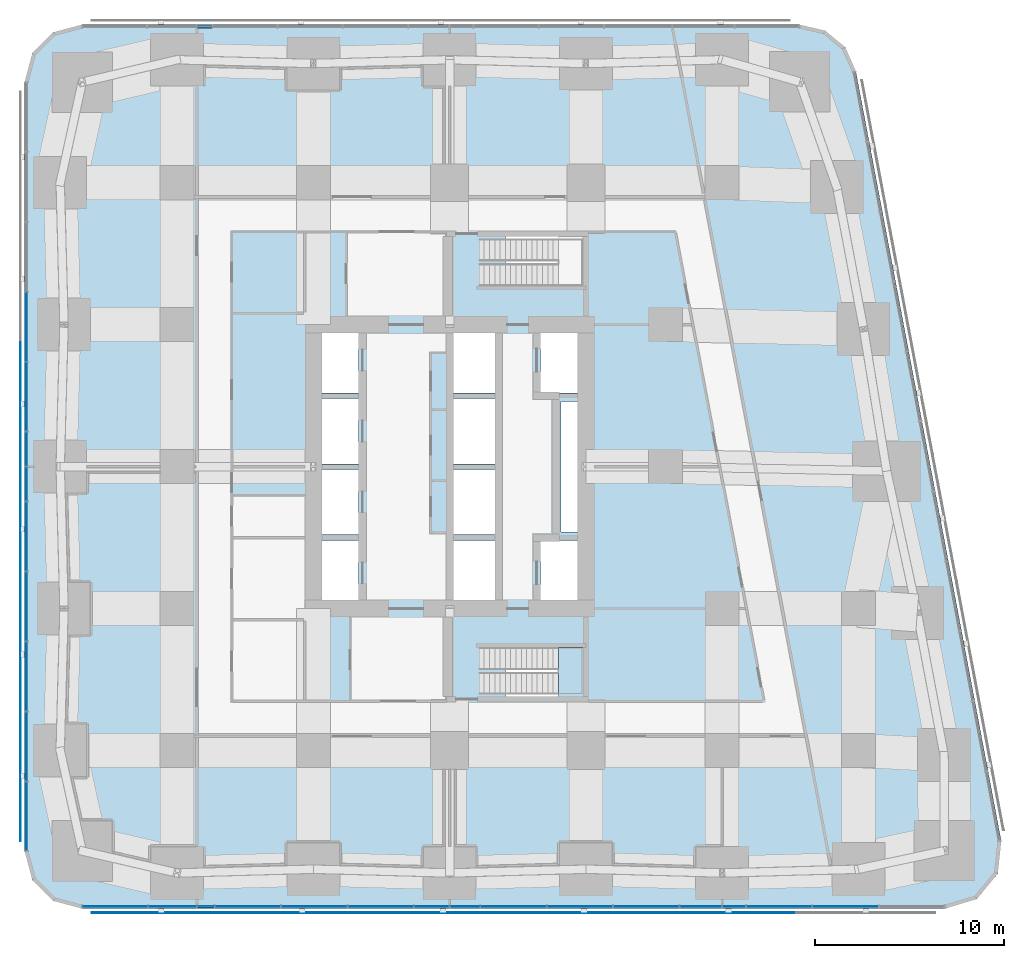
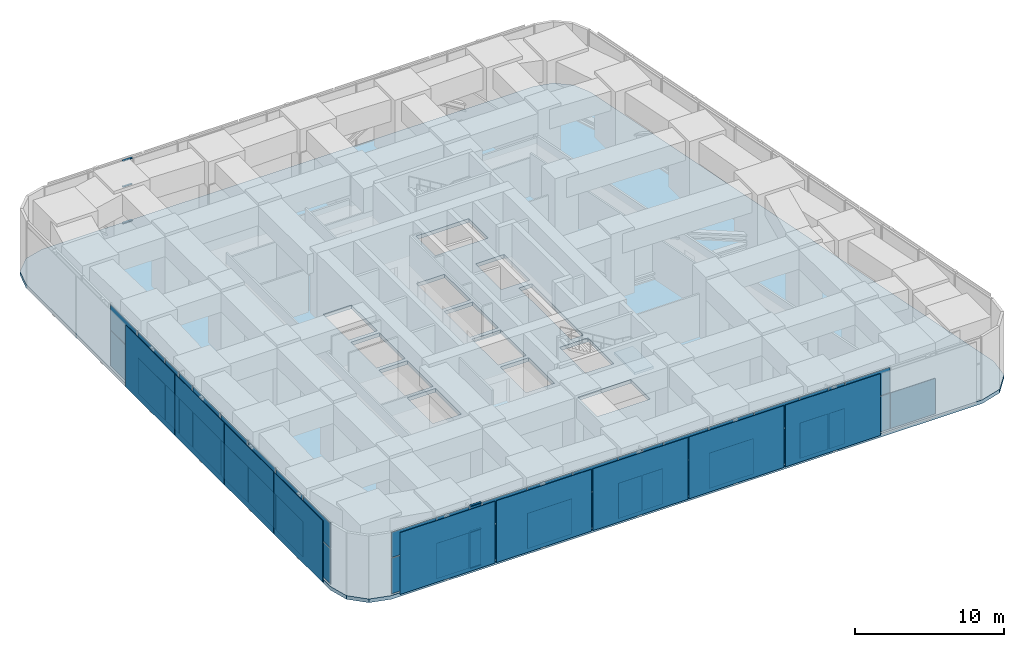
# One storey, part 10 of 20: 56 plates, 6 members, 2 slabs, 4 elements without a shape of their own.
"""IFC4 building model written with IfcOpenShell, lengths in metres."""

from ifc_helpers import new_model, si_unit, direction, frame, origin, origin_2d, place, context, subcontext, project, spatial, polyline, rectangle, outline, extrude, material, layer, layer_set, material_profile, profile_set, type_object, element, aggregate, save


model = new_model("IFC4")

# Units and contexts
model_context = context("Model", 3, precision=1e-05, world=origin(), true_north=direction((0.0, 1.0)))
body_context = subcontext(model_context, "Body", "Model", "MODEL_VIEW")
ifc_project = project(units=[si_unit("LENGTHUNIT", "METRE"), si_unit("AREAUNIT", "SQUARE_METRE"), si_unit("VOLUMEUNIT", "CUBIC_METRE"), si_unit("PLANEANGLEUNIT", "RADIAN"), si_unit("MASSUNIT", "GRAM", prefix="KILO")], contexts=[model_context])

# Site, building, storey
site_placement = place(None, origin())
site = spatial("IfcSite", under=ifc_project, at=site_placement, CompositionType="ELEMENT")
building_placement = place(site_placement, origin())
building = spatial("IfcBuilding", under=site, at=building_placement, Name="Sheger Commons Tower", CompositionType="ELEMENT")
storey_placement = place(building_placement, frame((0.0, 0.0, 72.5)))
storey = spatial("IfcBuildingStorey", under=building, at=storey_placement, Name="L18", CompositionType="ELEMENT", Elevation=72.5)

# Curtain wall, members
ifc_material_1 = material(Name="Black aluminium curtain wall, dark tinted glazing", Category="aluminium")
curtain_wall_type = type_object("IfcCurtainWallType", Name="CURTAIN WALL CW3 SKY FLOOR", PredefinedType="USERDEFINED", material=ifc_material_1)
curtain_wall_1_placement = place(storey_placement, origin())
curtain_wall_1 = element("IfcCurtainWall", 1, at=curtain_wall_1_placement, inside=storey, type_object=curtain_wall_type, Name="Curtain Wall Cw3 Sky Floor S1 L18", ObjectType="UNITISED CURTAIN WALL", PredefinedType="USERDEFINED")
ifc_material_2 = material(Name="Black anodised aluminium", Category="aluminium")
ifc_material_profile = material_profile(ifc_material_2, rectangle(XDim=0.14990234375, YDim=0.06494140625, at=origin_2d()), Name="AL 65x150")
ifc_profile_set = profile_set([ifc_material_profile], Name="Black anodised aluminium")
member_type = type_object("IfcMemberType", Name="TRANSOM AL 65x150", PredefinedType="USERDEFINED", material=ifc_profile_set)
member_1_placement = place(storey_placement, frame((8.282470703125, -0.75, 0.032470703125), z_axis=(1.0, 0.0, 0.0), x_axis=(0.0, 1.0, 0.0)))
member_1 = element("IfcMember", 2, at=member_1_placement, type_object=member_type, Name="CW3 transom 3.1", ObjectType="TRANSOM", PredefinedType="USERDEFINED", context=body_context, shape_type="SweptSolid", body=[
    extrude(rectangle(XDim=0.14990234375, YDim=0.06494140625, at=origin_2d()), origin(), (0.0, 0.0, 1.0), 0.867919921875),
])
member_2_placement = place(storey_placement, frame((8.282470703125, -0.75, 3.0), z_axis=(1.0, 0.0, 0.0), x_axis=(0.0, 1.0, 0.0)))
member_2 = element("IfcMember", 3, at=member_2_placement, type_object=member_type, Name="CW3 transom 3.2", ObjectType="TRANSOM", PredefinedType="USERDEFINED", context=body_context, shape_type="SweptSolid", body=[
    extrude(rectangle(XDim=0.14990234375, YDim=0.06494140625, at=origin_2d()), origin(), (0.0, 0.0, 1.0), 0.867919921875),
])
member_3_placement = place(storey_placement, frame((8.282470703125, -0.75, 5.117431640625), z_axis=(1.0, 0.0, 0.0), x_axis=(0.0, 1.0, 0.0)))
member_3 = element("IfcMember", 4, at=member_3_placement, type_object=member_type, Name="CW3 transom 3.3", ObjectType="TRANSOM", PredefinedType="USERDEFINED", context=body_context, shape_type="SweptSolid", body=[
    extrude(rectangle(XDim=0.14990234375, YDim=0.06494140625, at=origin_2d()), origin(), (0.0, 0.0, 1.0), 0.867919921875),
])

curtain_wall_2_placement = place(storey_placement, origin())
curtain_wall_2 = element("IfcCurtainWall", 5, at=curtain_wall_2_placement, inside=storey, type_object=curtain_wall_type, Name="Curtain Wall Cw3 Sky Floor N1 L18", ObjectType="UNITISED CURTAIN WALL", PredefinedType="USERDEFINED")
member_4_placement = place(storey_placement, frame((9.029541015625, 45.75, 0.032470703125), z_axis=(-1.0, 0.0, 0.0), x_axis=(0.0, -1.0, 0.0)))
member_4 = element("IfcMember", 6, at=member_4_placement, type_object=member_type, Name="CW3 transom 11.1", ObjectType="TRANSOM", PredefinedType="USERDEFINED", context=body_context, shape_type="SweptSolid", body=[
    extrude(rectangle(XDim=0.14990234375, YDim=0.06494140625, at=origin_2d()), origin(), (0.0, 0.0, 1.0), 0.7470703125),
])
member_5_placement = place(storey_placement, frame((9.029541015625, 45.75, 3.0), z_axis=(-1.0, 0.0, 0.0), x_axis=(0.0, -1.0, 0.0)))
member_5 = element("IfcMember", 7, at=member_5_placement, type_object=member_type, Name="CW3 transom 11.2", ObjectType="TRANSOM", PredefinedType="USERDEFINED", context=body_context, shape_type="SweptSolid", body=[
    extrude(rectangle(XDim=0.14990234375, YDim=0.06494140625, at=origin_2d()), origin(), (0.0, 0.0, 1.0), 0.7470703125),
])
member_6_placement = place(storey_placement, frame((9.029541015625, 45.75, 5.117431640625), z_axis=(-1.0, 0.0, 0.0), x_axis=(0.0, -1.0, 0.0)))
member_6 = element("IfcMember", 8, at=member_6_placement, type_object=member_type, Name="CW3 transom 11.3", ObjectType="TRANSOM", PredefinedType="USERDEFINED", context=body_context, shape_type="SweptSolid", body=[
    extrude(rectangle(XDim=0.14990234375, YDim=0.06494140625, at=origin_2d()), origin(), (0.0, 0.0, 1.0), 0.7470703125),
])
aggregate(curtain_wall_2, [member_4, member_5, member_6])

# Plate
ifc_material_3 = material(Name="Dark tinted double glazing", Category="glass")
ifc_layer_1 = layer(ifc_material_3, 0.031982421875)
ifc_layer_set_1 = layer_set([ifc_layer_1], Name="GLAZED PANEL 32")
plate_type_1 = type_object("IfcPlateType", Name="GLAZED PANEL 32", PredefinedType="CURTAIN_PANEL", material=ifc_layer_set_1)
plate_1_placement = place(storey_placement, frame((3.934326171875, -0.75, 0.06494140625), z_axis=(0.0, 0.0, 1.0), x_axis=(1.0, 0.0, 0.0)))
plate_1 = element("IfcPlate", 9, at=plate_1_placement, type_object=plate_type_1, Name="CW3 panel 1.1", PredefinedType="CURTAIN_PANEL", context=body_context, shape_type="SweptSolid", body=[
    extrude(rectangle(XDim=3.41259765625, YDim=0.031982421875, at=origin_2d()), origin(), (0.0, 0.0, 1.0), 2.902587890625),
])

plate_2_placement = place(storey_placement, frame((3.934326171875, -0.75, 3.03271484375), z_axis=(0.0, 0.0, 1.0), x_axis=(1.0, 0.0, 0.0)))
plate_2 = element("IfcPlate", 10, at=plate_2_placement, type_object=plate_type_1, Name="CW3 panel 1.2", PredefinedType="CURTAIN_PANEL", context=body_context, shape_type="SweptSolid", body=[
    extrude(rectangle(XDim=3.41259765625, YDim=0.031982421875, at=origin_2d()), origin(), (0.0, 0.0, 1.0), 2.052490234375),
])

plate_3_placement = place(storey_placement, frame((6.96142578125, -0.75, 0.06494140625), z_axis=(0.0, 0.0, 1.0), x_axis=(1.0, 0.0, 0.0)))
plate_3 = element("IfcPlate", 11, at=plate_3_placement, type_object=plate_type_1, Name="CW3 panel 2.1", PredefinedType="CURTAIN_PANEL", context=body_context, shape_type="SweptSolid", body=[
    extrude(rectangle(XDim=2.511962890625, YDim=0.031982421875, at=origin_2d()), origin(), (0.0, 0.0, 1.0), 2.902587890625),
])

plate_4_placement = place(storey_placement, frame((6.96142578125, -0.75, 3.03271484375), z_axis=(0.0, 0.0, 1.0), x_axis=(1.0, 0.0, 0.0)))
plate_4 = element("IfcPlate", 12, at=plate_4_placement, type_object=plate_type_1, Name="CW3 panel 2.2", PredefinedType="CURTAIN_PANEL", context=body_context, shape_type="SweptSolid", body=[
    extrude(rectangle(XDim=2.511962890625, YDim=0.031982421875, at=origin_2d()), origin(), (0.0, 0.0, 1.0), 2.052490234375),
])

plate_5_placement = place(storey_placement, frame((8.716552734375, -0.75, 0.06494140625), z_axis=(0.0, 0.0, 1.0), x_axis=(1.0, 0.0, 0.0)))
plate_5 = element("IfcPlate", 13, at=plate_5_placement, type_object=plate_type_1, Name="CW3 panel 3.1", PredefinedType="CURTAIN_PANEL", context=body_context, shape_type="SweptSolid", body=[
    extrude(rectangle(XDim=0.867919921875, YDim=0.031982421875, at=origin_2d()), origin(), (0.0, 0.0, 1.0), 2.902587890625),
])

plate_6_placement = place(storey_placement, frame((8.716552734375, -0.75, 3.03271484375), z_axis=(0.0, 0.0, 1.0), x_axis=(1.0, 0.0, 0.0)))
plate_6 = element("IfcPlate", 14, at=plate_6_placement, type_object=plate_type_1, Name="CW3 panel 3.2", PredefinedType="CURTAIN_PANEL", context=body_context, shape_type="SweptSolid", body=[
    extrude(rectangle(XDim=0.867919921875, YDim=0.031982421875, at=origin_2d()), origin(), (0.0, 0.0, 1.0), 2.052490234375),
])

plate_7_placement = place(storey_placement, frame((10.93798828125, -0.75, 0.06494140625), z_axis=(0.0, 0.0, 1.0), x_axis=(1.0, 0.0, 0.0)))
plate_7 = element("IfcPlate", 15, at=plate_7_placement, type_object=plate_type_1, Name="CW3 panel 4.1", PredefinedType="CURTAIN_PANEL", context=body_context, shape_type="SweptSolid", body=[
    extrude(rectangle(XDim=3.445068359375, YDim=0.031982421875, at=origin_2d()), origin(), (0.0, 0.0, 1.0), 2.902587890625),
])

plate_8_placement = place(storey_placement, frame((10.93798828125, -0.75, 3.03271484375), z_axis=(0.0, 0.0, 1.0), x_axis=(1.0, 0.0, 0.0)))
plate_8 = element("IfcPlate", 16, at=plate_8_placement, type_object=plate_type_1, Name="CW3 panel 4.2", PredefinedType="CURTAIN_PANEL", context=body_context, shape_type="SweptSolid", body=[
    extrude(rectangle(XDim=3.445068359375, YDim=0.031982421875, at=origin_2d()), origin(), (0.0, 0.0, 1.0), 2.052490234375),
])

plate_9_placement = place(storey_placement, frame((14.447509765625, -0.75, 0.06494140625), z_axis=(0.0, 0.0, 1.0), x_axis=(1.0, 0.0, 0.0)))
plate_9 = element("IfcPlate", 17, at=plate_9_placement, type_object=plate_type_1, Name="CW3 panel 5.1", PredefinedType="CURTAIN_PANEL", context=body_context, shape_type="SweptSolid", body=[
    extrude(rectangle(XDim=3.444091796875, YDim=0.031982421875, at=origin_2d()), origin(), (0.0, 0.0, 1.0), 2.902587890625),
])

plate_10_placement = place(storey_placement, frame((14.447509765625, -0.75, 3.03271484375), z_axis=(0.0, 0.0, 1.0), x_axis=(1.0, 0.0, 0.0)))
plate_10 = element("IfcPlate", 18, at=plate_10_placement, type_object=plate_type_1, Name="CW3 panel 5.2", PredefinedType="CURTAIN_PANEL", context=body_context, shape_type="SweptSolid", body=[
    extrude(rectangle(XDim=3.444091796875, YDim=0.031982421875, at=origin_2d()), origin(), (0.0, 0.0, 1.0), 2.052490234375),
])

plate_11_placement = place(storey_placement, frame((17.95703125, -0.75, 0.06494140625), z_axis=(0.0, 0.0, 1.0), x_axis=(1.0, 0.0, 0.0)))
plate_11 = element("IfcPlate", 19, at=plate_11_placement, type_object=plate_type_1, Name="CW3 panel 6.1", PredefinedType="CURTAIN_PANEL", context=body_context, shape_type="SweptSolid", body=[
    extrude(rectangle(XDim=3.445068359375, YDim=0.031982421875, at=origin_2d()), origin(), (0.0, 0.0, 1.0), 2.902587890625),
])

plate_12_placement = place(storey_placement, frame((17.95703125, -0.75, 3.03271484375), z_axis=(0.0, 0.0, 1.0), x_axis=(1.0, 0.0, 0.0)))
plate_12 = element("IfcPlate", 20, at=plate_12_placement, type_object=plate_type_1, Name="CW3 panel 6.2", PredefinedType="CURTAIN_PANEL", context=body_context, shape_type="SweptSolid", body=[
    extrude(rectangle(XDim=3.445068359375, YDim=0.031982421875, at=origin_2d()), origin(), (0.0, 0.0, 1.0), 2.052490234375),
])

plate_13_placement = place(storey_placement, frame((20.656005859375, -0.75, 0.06494140625), z_axis=(0.0, 0.0, 1.0), x_axis=(1.0, 0.0, 0.0)))
plate_13 = element("IfcPlate", 21, at=plate_13_placement, type_object=plate_type_1, Name="CW3 panel 7.1", PredefinedType="CURTAIN_PANEL", context=body_context, shape_type="SweptSolid", body=[
    extrude(rectangle(XDim=1.822998046875, YDim=0.031982421875, at=origin_2d()), origin(), (0.0, 0.0, 1.0), 2.902587890625),
])

plate_14_placement = place(storey_placement, frame((20.656005859375, -0.75, 3.03271484375), z_axis=(0.0, 0.0, 1.0), x_axis=(1.0, 0.0, 0.0)))
plate_14 = element("IfcPlate", 22, at=plate_14_placement, type_object=plate_type_1, Name="CW3 panel 7.2", PredefinedType="CURTAIN_PANEL", context=body_context, shape_type="SweptSolid", body=[
    extrude(rectangle(XDim=1.822998046875, YDim=0.031982421875, at=origin_2d()), origin(), (0.0, 0.0, 1.0), 2.052490234375),
])

plate_15_placement = place(storey_placement, frame((22.410888671875, -0.75, 0.06494140625), z_axis=(0.0, 0.0, 1.0), x_axis=(1.0, 0.0, 0.0)))
plate_15 = element("IfcPlate", 23, at=plate_15_placement, type_object=plate_type_1, Name="CW3 panel 8.1", PredefinedType="CURTAIN_PANEL", context=body_context, shape_type="SweptSolid", body=[
    extrude(rectangle(XDim=1.556884765625, YDim=0.031982421875, at=origin_2d()), origin(), (0.0, 0.0, 1.0), 2.902587890625),
])

plate_16_placement = place(storey_placement, frame((22.410888671875, -0.75, 3.03271484375), z_axis=(0.0, 0.0, 1.0), x_axis=(1.0, 0.0, 0.0)))
plate_16 = element("IfcPlate", 24, at=plate_16_placement, type_object=plate_type_1, Name="CW3 panel 8.2", PredefinedType="CURTAIN_PANEL", context=body_context, shape_type="SweptSolid", body=[
    extrude(rectangle(XDim=1.556884765625, YDim=0.031982421875, at=origin_2d()), origin(), (0.0, 0.0, 1.0), 2.052490234375),
])

plate_17_placement = place(storey_placement, frame((24.97705078125, -0.75, 0.06494140625), z_axis=(0.0, 0.0, 1.0), x_axis=(1.0, 0.0, 0.0)))
plate_17 = element("IfcPlate", 25, at=plate_17_placement, type_object=plate_type_1, Name="CW3 panel 9.1", PredefinedType="CURTAIN_PANEL", context=body_context, shape_type="SweptSolid", body=[
    extrude(rectangle(XDim=3.445068359375, YDim=0.031982421875, at=origin_2d()), origin(), (0.0, 0.0, 1.0), 2.902587890625),
])

plate_18_placement = place(storey_placement, frame((24.97705078125, -0.75, 3.03271484375), z_axis=(0.0, 0.0, 1.0), x_axis=(1.0, 0.0, 0.0)))
plate_18 = element("IfcPlate", 26, at=plate_18_placement, type_object=plate_type_1, Name="CW3 panel 9.2", PredefinedType="CURTAIN_PANEL", context=body_context, shape_type="SweptSolid", body=[
    extrude(rectangle(XDim=3.445068359375, YDim=0.031982421875, at=origin_2d()), origin(), (0.0, 0.0, 1.0), 2.052490234375),
])

plate_19_placement = place(storey_placement, frame((28.487060546875, -0.75, 0.06494140625), z_axis=(0.0, 0.0, 1.0), x_axis=(1.0, 0.0, 0.0)))
plate_19 = element("IfcPlate", 27, at=plate_19_placement, type_object=plate_type_1, Name="CW3 panel 10.1", PredefinedType="CURTAIN_PANEL", context=body_context, shape_type="SweptSolid", body=[
    extrude(rectangle(XDim=3.445068359375, YDim=0.031982421875, at=origin_2d()), origin(), (0.0, 0.0, 1.0), 2.902587890625),
])

plate_20_placement = place(storey_placement, frame((28.487060546875, -0.75, 3.03271484375), z_axis=(0.0, 0.0, 1.0), x_axis=(1.0, 0.0, 0.0)))
plate_20 = element("IfcPlate", 28, at=plate_20_placement, type_object=plate_type_1, Name="CW3 panel 10.2", PredefinedType="CURTAIN_PANEL", context=body_context, shape_type="SweptSolid", body=[
    extrude(rectangle(XDim=3.445068359375, YDim=0.031982421875, at=origin_2d()), origin(), (0.0, 0.0, 1.0), 2.052490234375),
])

plate_21_placement = place(storey_placement, frame((31.9970703125, -0.75, 0.06494140625), z_axis=(0.0, 0.0, 1.0), x_axis=(1.0, 0.0, 0.0)))
plate_21 = element("IfcPlate", 29, at=plate_21_placement, type_object=plate_type_1, Name="CW3 panel 11.1", PredefinedType="CURTAIN_PANEL", context=body_context, shape_type="SweptSolid", body=[
    extrude(rectangle(XDim=3.445068359375, YDim=0.031982421875, at=origin_2d()), origin(), (0.0, 0.0, 1.0), 2.902587890625),
])

plate_22_placement = place(storey_placement, frame((31.9970703125, -0.75, 3.03271484375), z_axis=(0.0, 0.0, 1.0), x_axis=(1.0, 0.0, 0.0)))
plate_22 = element("IfcPlate", 30, at=plate_22_placement, type_object=plate_type_1, Name="CW3 panel 11.2", PredefinedType="CURTAIN_PANEL", context=body_context, shape_type="SweptSolid", body=[
    extrude(rectangle(XDim=3.445068359375, YDim=0.031982421875, at=origin_2d()), origin(), (0.0, 0.0, 1.0), 2.052490234375),
])

plate_23_placement = place(storey_placement, frame((34.8759765625, -0.75, 0.06494140625), z_axis=(0.0, 0.0, 1.0), x_axis=(1.0, 0.0, 0.0)))
plate_23 = element("IfcPlate", 31, at=plate_23_placement, type_object=plate_type_1, Name="CW3 panel 12.1", PredefinedType="CURTAIN_PANEL", context=body_context, shape_type="SweptSolid", body=[
    extrude(rectangle(XDim=2.18310546875, YDim=0.031982421875, at=origin_2d()), origin(), (0.0, 0.0, 1.0), 2.902587890625),
])

plate_24_placement = place(storey_placement, frame((34.8759765625, -0.75, 3.03271484375), z_axis=(0.0, 0.0, 1.0), x_axis=(1.0, 0.0, 0.0)))
plate_24 = element("IfcPlate", 32, at=plate_24_placement, type_object=plate_type_1, Name="CW3 panel 12.2", PredefinedType="CURTAIN_PANEL", context=body_context, shape_type="SweptSolid", body=[
    extrude(rectangle(XDim=2.18310546875, YDim=0.031982421875, at=origin_2d()), origin(), (0.0, 0.0, 1.0), 2.052490234375),
])

plate_25_placement = place(storey_placement, frame((36.630615234375, -0.75, 0.06494140625), z_axis=(0.0, 0.0, 1.0), x_axis=(1.0, 0.0, 0.0)))
plate_25 = element("IfcPlate", 33, at=plate_25_placement, type_object=plate_type_1, Name="CW3 panel 13.1", PredefinedType="CURTAIN_PANEL", context=body_context, shape_type="SweptSolid", body=[
    extrude(rectangle(XDim=1.196044921875, YDim=0.031982421875, at=origin_2d()), origin(), (0.0, 0.0, 1.0), 2.902587890625),
])

plate_26_placement = place(storey_placement, frame((36.630615234375, -0.75, 3.03271484375), z_axis=(0.0, 0.0, 1.0), x_axis=(1.0, 0.0, 0.0)))
plate_26 = element("IfcPlate", 34, at=plate_26_placement, type_object=plate_type_1, Name="CW3 panel 13.2", PredefinedType="CURTAIN_PANEL", context=body_context, shape_type="SweptSolid", body=[
    extrude(rectangle(XDim=1.196044921875, YDim=0.031982421875, at=origin_2d()), origin(), (0.0, 0.0, 1.0), 2.052490234375),
])

plate_27_placement = place(storey_placement, frame((39.01611328125, -0.75, 0.06494140625), z_axis=(0.0, 0.0, 1.0), x_axis=(1.0, 0.0, 0.0)))
plate_27 = element("IfcPlate", 35, at=plate_27_placement, type_object=plate_type_1, Name="CW3 panel 14.1", PredefinedType="CURTAIN_PANEL", context=body_context, shape_type="SweptSolid", body=[
    extrude(rectangle(XDim=3.445068359375, YDim=0.031982421875, at=origin_2d()), origin(), (0.0, 0.0, 1.0), 2.902587890625),
])

plate_28_placement = place(storey_placement, frame((39.01611328125, -0.75, 3.03271484375), z_axis=(0.0, 0.0, 1.0), x_axis=(1.0, 0.0, 0.0)))
plate_28 = element("IfcPlate", 36, at=plate_28_placement, type_object=plate_type_1, Name="CW3 panel 14.2", PredefinedType="CURTAIN_PANEL", context=body_context, shape_type="SweptSolid", body=[
    extrude(rectangle(XDim=3.445068359375, YDim=0.031982421875, at=origin_2d()), origin(), (0.0, 0.0, 1.0), 2.052490234375),
])

plate_29_placement = place(storey_placement, frame((42.52587890625, -0.75, 0.06494140625), z_axis=(0.0, 0.0, 1.0), x_axis=(1.0, 0.0, 0.0)))
plate_29 = element("IfcPlate", 37, at=plate_29_placement, type_object=plate_type_1, Name="CW3 panel 15.1", PredefinedType="CURTAIN_PANEL", context=body_context, shape_type="SweptSolid", body=[
    extrude(rectangle(XDim=3.445068359375, YDim=0.031982421875, at=origin_2d()), origin(), (0.0, 0.0, 1.0), 2.902587890625),
])

aggregate(curtain_wall_1, [plate_1, plate_2, plate_3, plate_4, member_1, member_2, member_3, plate_5, plate_6, plate_7, plate_8, plate_9, plate_10, plate_11, plate_12, plate_13, plate_14, plate_15, plate_16, plate_17, plate_18, plate_19, plate_20, plate_21, plate_22, plate_23, plate_24, plate_25, plate_26, plate_27, plate_28, plate_29])

# Curtain wall, plates
curtain_wall_3_placement = place(storey_placement, origin())
curtain_wall_3 = element("IfcCurtainWall", 38, at=curtain_wall_3_placement, inside=storey, type_object=curtain_wall_type, Name="Curtain Wall Cw3 Sky Floor W1 L18", ObjectType="UNITISED CURTAIN WALL", PredefinedType="USERDEFINED")
plate_30_placement = place(storey_placement, frame((-0.75, 29.89501953125, 0.06494140625), z_axis=(0.0, 0.0, 1.0), x_axis=(0.0, -1.0, 0.0)))
plate_30 = element("IfcPlate", 39, at=plate_30_placement, type_object=plate_type_1, Name="CW3 panel 4.1", PredefinedType="CURTAIN_PANEL", context=body_context, shape_type="SweptSolid", body=[
    extrude(rectangle(XDim=3.633056640625, YDim=0.031982421875, at=origin_2d()), origin(), (0.0, 0.0, 1.0), 2.902587890625),
])
plate_31_placement = place(storey_placement, frame((-0.75, 29.89501953125, 3.03271484375), z_axis=(0.0, 0.0, 1.0), x_axis=(0.0, -1.0, 0.0)))
plate_31 = element("IfcPlate", 40, at=plate_31_placement, type_object=plate_type_1, Name="CW3 panel 4.2", PredefinedType="CURTAIN_PANEL", context=body_context, shape_type="SweptSolid", body=[
    extrude(rectangle(XDim=3.633056640625, YDim=0.031982421875, at=origin_2d()), origin(), (0.0, 0.0, 1.0), 2.052490234375),
])
plate_32_placement = place(storey_placement, frame((-0.75, 26.197509765625, 0.06494140625), z_axis=(0.0, 0.0, 1.0), x_axis=(0.0, -1.0, 0.0)))
plate_32 = element("IfcPlate", 41, at=plate_32_placement, type_object=plate_type_1, Name="CW3 panel 5.1", PredefinedType="CURTAIN_PANEL", context=body_context, shape_type="SweptSolid", body=[
    extrude(rectangle(XDim=3.632080078125, YDim=0.031982421875, at=origin_2d()), origin(), (0.0, 0.0, 1.0), 2.902587890625),
])
plate_33_placement = place(storey_placement, frame((-0.75, 26.197509765625, 3.03271484375), z_axis=(0.0, 0.0, 1.0), x_axis=(0.0, -1.0, 0.0)))
plate_33 = element("IfcPlate", 42, at=plate_33_placement, type_object=plate_type_1, Name="CW3 panel 5.2", PredefinedType="CURTAIN_PANEL", context=body_context, shape_type="SweptSolid", body=[
    extrude(rectangle(XDim=3.632080078125, YDim=0.031982421875, at=origin_2d()), origin(), (0.0, 0.0, 1.0), 2.052490234375),
])
plate_34_placement = place(storey_placement, frame((-0.75, 23.424560546875, 0.06494140625), z_axis=(0.0, 0.0, 1.0), x_axis=(0.0, -1.0, 0.0)))
plate_34 = element("IfcPlate", 43, at=plate_34_placement, type_object=plate_type_1, Name="CW3 panel 6.1", PredefinedType="CURTAIN_PANEL", context=body_context, shape_type="SweptSolid", body=[
    extrude(rectangle(XDim=1.783935546875, YDim=0.031982421875, at=origin_2d()), origin(), (0.0, 0.0, 1.0), 2.902587890625),
])
plate_35_placement = place(storey_placement, frame((-0.75, 23.424560546875, 3.03271484375), z_axis=(0.0, 0.0, 1.0), x_axis=(0.0, -1.0, 0.0)))
plate_35 = element("IfcPlate", 44, at=plate_35_placement, type_object=plate_type_1, Name="CW3 panel 6.2", PredefinedType="CURTAIN_PANEL", context=body_context, shape_type="SweptSolid", body=[
    extrude(rectangle(XDim=1.783935546875, YDim=0.031982421875, at=origin_2d()), origin(), (0.0, 0.0, 1.0), 2.052490234375),
])
plate_36_placement = place(storey_placement, frame((-0.75, 21.575439453125, 0.06494140625), z_axis=(0.0, 0.0, 1.0), x_axis=(0.0, -1.0, 0.0)))
plate_36 = element("IfcPlate", 45, at=plate_36_placement, type_object=plate_type_1, Name="CW3 panel 7.1", PredefinedType="CURTAIN_PANEL", context=body_context, shape_type="SweptSolid", body=[
    extrude(rectangle(XDim=1.783935546875, YDim=0.031982421875, at=origin_2d()), origin(), (0.0, 0.0, 1.0), 2.902587890625),
])
plate_37_placement = place(storey_placement, frame((-0.75, 21.575439453125, 3.03271484375), z_axis=(0.0, 0.0, 1.0), x_axis=(0.0, -1.0, 0.0)))
plate_37 = element("IfcPlate", 46, at=plate_37_placement, type_object=plate_type_1, Name="CW3 panel 7.2", PredefinedType="CURTAIN_PANEL", context=body_context, shape_type="SweptSolid", body=[
    extrude(rectangle(XDim=1.783935546875, YDim=0.031982421875, at=origin_2d()), origin(), (0.0, 0.0, 1.0), 2.052490234375),
])
plate_38_placement = place(storey_placement, frame((-0.75, 18.802490234375, 0.06494140625), z_axis=(0.0, 0.0, 1.0), x_axis=(0.0, -1.0, 0.0)))
plate_38 = element("IfcPlate", 47, at=plate_38_placement, type_object=plate_type_1, Name="CW3 panel 8.1", PredefinedType="CURTAIN_PANEL", context=body_context, shape_type="SweptSolid", body=[
    extrude(rectangle(XDim=3.632080078125, YDim=0.031982421875, at=origin_2d()), origin(), (0.0, 0.0, 1.0), 2.902587890625),
])
plate_39_placement = place(storey_placement, frame((-0.75, 18.802490234375, 3.03271484375), z_axis=(0.0, 0.0, 1.0), x_axis=(0.0, -1.0, 0.0)))
plate_39 = element("IfcPlate", 48, at=plate_39_placement, type_object=plate_type_1, Name="CW3 panel 8.2", PredefinedType="CURTAIN_PANEL", context=body_context, shape_type="SweptSolid", body=[
    extrude(rectangle(XDim=3.632080078125, YDim=0.031982421875, at=origin_2d()), origin(), (0.0, 0.0, 1.0), 2.052490234375),
])
plate_40_placement = place(storey_placement, frame((-0.75, 15.10498046875, 0.06494140625), z_axis=(0.0, 0.0, 1.0), x_axis=(0.0, -1.0, 0.0)))
plate_40 = element("IfcPlate", 49, at=plate_40_placement, type_object=plate_type_1, Name="CW3 panel 9.1", PredefinedType="CURTAIN_PANEL", context=body_context, shape_type="SweptSolid", body=[
    extrude(rectangle(XDim=3.633056640625, YDim=0.031982421875, at=origin_2d()), origin(), (0.0, 0.0, 1.0), 2.902587890625),
])
plate_41_placement = place(storey_placement, frame((-0.75, 15.10498046875, 3.03271484375), z_axis=(0.0, 0.0, 1.0), x_axis=(0.0, -1.0, 0.0)))
plate_41 = element("IfcPlate", 50, at=plate_41_placement, type_object=plate_type_1, Name="CW3 panel 9.2", PredefinedType="CURTAIN_PANEL", context=body_context, shape_type="SweptSolid", body=[
    extrude(rectangle(XDim=3.633056640625, YDim=0.031982421875, at=origin_2d()), origin(), (0.0, 0.0, 1.0), 2.052490234375),
])
plate_42_placement = place(storey_placement, frame((-0.75, 11.406982421875, 0.06494140625), z_axis=(0.0, 0.0, 1.0), x_axis=(0.0, -1.0, 0.0)))
plate_42 = element("IfcPlate", 51, at=plate_42_placement, type_object=plate_type_1, Name="CW3 panel 10.1", PredefinedType="CURTAIN_PANEL", context=body_context, shape_type="SweptSolid", body=[
    extrude(rectangle(XDim=3.633056640625, YDim=0.031982421875, at=origin_2d()), origin(), (0.0, 0.0, 1.0), 2.902587890625),
])
plate_43_placement = place(storey_placement, frame((-0.75, 11.406982421875, 3.03271484375), z_axis=(0.0, 0.0, 1.0), x_axis=(0.0, -1.0, 0.0)))
plate_43 = element("IfcPlate", 52, at=plate_43_placement, type_object=plate_type_1, Name="CW3 panel 10.2", PredefinedType="CURTAIN_PANEL", context=body_context, shape_type="SweptSolid", body=[
    extrude(rectangle(XDim=3.633056640625, YDim=0.031982421875, at=origin_2d()), origin(), (0.0, 0.0, 1.0), 2.052490234375),
])
plate_44_placement = place(storey_placement, frame((-0.75, 7.70947265625, 0.06494140625), z_axis=(0.0, 0.0, 1.0), x_axis=(0.0, -1.0, 0.0)))
plate_44 = element("IfcPlate", 53, at=plate_44_placement, type_object=plate_type_1, Name="CW3 panel 11.1", PredefinedType="CURTAIN_PANEL", context=body_context, shape_type="SweptSolid", body=[
    extrude(rectangle(XDim=3.632080078125, YDim=0.031982421875, at=origin_2d()), origin(), (0.0, 0.0, 1.0), 2.902587890625),
])
plate_45_placement = place(storey_placement, frame((-0.75, 7.70947265625, 3.03271484375), z_axis=(0.0, 0.0, 1.0), x_axis=(0.0, -1.0, 0.0)))
plate_45 = element("IfcPlate", 54, at=plate_45_placement, type_object=plate_type_1, Name="CW3 panel 11.2", PredefinedType="CURTAIN_PANEL", context=body_context, shape_type="SweptSolid", body=[
    extrude(rectangle(XDim=3.632080078125, YDim=0.031982421875, at=origin_2d()), origin(), (0.0, 0.0, 1.0), 2.052490234375),
])
plate_46_placement = place(storey_placement, frame((-0.75, 4.0283203125, 0.06494140625), z_axis=(0.0, 0.0, 1.0), x_axis=(0.0, -1.0, 0.0)))
plate_46 = element("IfcPlate", 55, at=plate_46_placement, type_object=plate_type_1, Name="CW3 panel 12.1", PredefinedType="CURTAIN_PANEL", context=body_context, shape_type="SweptSolid", body=[
    extrude(rectangle(XDim=3.6005859375, YDim=0.031982421875, at=origin_2d()), origin(), (0.0, 0.0, 1.0), 2.902587890625),
])
plate_47_placement = place(storey_placement, frame((-0.75, 4.0283203125, 3.03271484375), z_axis=(0.0, 0.0, 1.0), x_axis=(0.0, -1.0, 0.0)))
plate_47 = element("IfcPlate", 56, at=plate_47_placement, type_object=plate_type_1, Name="CW3 panel 12.2", PredefinedType="CURTAIN_PANEL", context=body_context, shape_type="SweptSolid", body=[
    extrude(rectangle(XDim=3.6005859375, YDim=0.031982421875, at=origin_2d()), origin(), (0.0, 0.0, 1.0), 2.052490234375),
])
aggregate(curtain_wall_3, [plate_30, plate_31, plate_32, plate_33, plate_34, plate_35, plate_36, plate_37, plate_38, plate_39, plate_40, plate_41, plate_42, plate_43, plate_44, plate_45, plate_46, plate_47])

# Slab
ifc_material_4 = material(Name="Concrete C35/45", Category="concrete")
ifc_layer_2 = layer(ifc_material_4, 0.300048828125)
ifc_layer_set_2 = layer_set([ifc_layer_2], Name="SLAB FLOOR 300")
slab_type_1 = type_object("IfcSlabType", Name="SLAB FLOOR 300", PredefinedType="FLOOR", material=ifc_layer_set_2)
slab_1_placement = place(storey_placement, frame((0.0, 0.0, -0.300048828125)))
element("IfcSlab", 57, at=slab_1_placement, inside=storey, type_object=slab_type_1, Name="L18 floor slab", PredefinedType="FLOOR", context=body_context, shape_type="SweptSolid", body=[
    extrude(outline(polyline([(-0.85009765625, 2.14990234375), (-0.447998046875, 0.64990234375), (0.64990234375, -0.447998046875), (2.14990234375, -0.85009765625), (47.805908203125, -0.85009765625), (49.465087890625, -0.35009765625), (50.570068359375, 0.98388671875), (50.75390625, 2.70703125), (43.06591796875, 43.406982421875), (42.509033203125, 44.660888671875), (41.452880859375, 45.535888671875), (40.117919921875, 45.85009765625), (2.14990234375, 45.85009765625), (0.64990234375, 45.447998046875), (-0.447998046875, 44.35009765625), (-0.85009765625, 42.85009765625), (-0.85009765625, 2.14990234375)]), holes=[polyline([(24.550048828125, 10.35009765625), (28.64990234375, 10.35009765625), (28.64990234375, 12.949951171875), (24.551025390625, 12.949951171875), (24.551025390625, 11.75), (24.550048828125, 11.75), (24.550048828125, 10.35009765625)]), polyline([(24.551025390625, 32.050048828125), (28.64990234375, 32.050048828125), (28.64990234375, 34.64990234375), (24.550048828125, 34.64990234375), (24.550048828125, 33.25), (24.551025390625, 33.25), (24.551025390625, 32.050048828125)]), polyline([(26.39990234375, 15.14990234375), (28.60009765625, 15.14990234375), (28.60009765625, 18.60009765625), (26.39990234375, 18.60009765625), (26.39990234375, 15.14990234375)]), polyline([(26.39990234375, 26.39990234375), (28.60009765625, 26.39990234375), (28.60009765625, 29.85009765625), (26.39990234375, 29.85009765625), (26.39990234375, 26.39990234375)]), polyline([(14.60009765625, 15.14990234375), (16.800048828125, 15.14990234375), (16.800048828125, 18.60009765625), (14.60009765625, 18.60009765625), (14.60009765625, 15.14990234375)]), polyline([(14.60009765625, 18.89990234375), (16.800048828125, 18.89990234375), (16.800048828125, 22.35009765625), (14.60009765625, 22.35009765625), (14.60009765625, 18.89990234375)]), polyline([(14.60009765625, 22.64990234375), (16.800048828125, 22.64990234375), (16.800048828125, 26.10009765625), (14.60009765625, 26.10009765625), (14.60009765625, 22.64990234375)]), polyline([(14.60009765625, 26.39990234375), (16.800048828125, 26.39990234375), (16.800048828125, 29.85009765625), (14.60009765625, 29.85009765625), (14.60009765625, 26.39990234375)]), polyline([(21.800048828125, 15.14990234375), (24.0, 15.14990234375), (24.0, 18.60009765625), (21.800048828125, 18.60009765625), (21.800048828125, 15.14990234375)]), polyline([(21.800048828125, 18.89990234375), (24.0, 18.89990234375), (24.0, 22.35009765625), (21.800048828125, 22.35009765625), (21.800048828125, 18.89990234375)]), polyline([(21.800048828125, 22.64990234375), (24.0, 22.64990234375), (24.0, 26.10009765625), (21.800048828125, 26.10009765625), (21.800048828125, 22.64990234375)]), polyline([(21.800048828125, 26.39990234375), (24.0, 26.39990234375), (24.0, 29.85009765625), (21.800048828125, 29.85009765625), (21.800048828125, 26.39990234375)]), polyline([(27.5, 19.050048828125), (28.5, 19.050048828125), (28.5, 25.949951171875), (27.5, 25.949951171875), (27.5, 19.050048828125)])]), origin(), (0.0, 0.0, 1.0), 0.300048828125),
])

# Plates
ifc_material_5 = material(Name="Perforated black anodised aluminium screen", Category="aluminium")
ifc_layer_3 = layer(ifc_material_5, 0.050048828125)
ifc_layer_set_3 = layer_set([ifc_layer_3], Name="SOLAR SCREEN SCREEN-1")
plate_type_2 = type_object("IfcPlateType", Name="SOLAR SCREEN SCREEN-1", PredefinedType="USERDEFINED", material=ifc_layer_set_3)
for number, where, z_axis, x_axis, name in (
    (58, (6.37109375, -1.074951171875, 0.0498046875), (0.0, 0.0, 1.0), (1.0, 0.0, 0.0), "Perforated solar screen panel"),
    (59, (13.81396484375, -1.074951171875, 0.0498046875), (0.0, 0.0, 1.0), (1.0, 0.0, 0.0), "Perforated solar screen panel"),
    (60, (21.257080078125, -1.074951171875, 0.0498046875), (0.0, 0.0, 1.0), (1.0, 0.0, 0.0), "Perforated solar screen panel"),
    (61, (28.698974609375, -1.074951171875, 0.0498046875), (0.0, 0.0, 1.0), (1.0, 0.0, 0.0), "Perforated solar screen panel"),
    (62, (36.14208984375, -1.074951171875, 0.0498046875), (0.0, 0.0, 1.0), (1.0, 0.0, 0.0), "Perforated solar screen panel"),
):
    element("IfcPlate", number, at=place(storey_placement, frame(where, z_axis=z_axis, x_axis=x_axis)), inside=storey, type_object=plate_type_2, Name=name, ObjectType="SCREEN", PredefinedType="USERDEFINED", context=body_context, shape_type="SweptSolid", body=[
        extrude(rectangle(XDim=7.343017578125, YDim=0.050048828125, at=origin_2d()), origin(), (0.0, 0.0, 1.0), 5.050048828125),
    ])
for number, where, z_axis, x_axis, name in (
    (63, (-1.074951171875, 25.80810546875, 0.0498046875), (0.0, 0.0, 1.0), (0.0, -1.0, 0.0), "Perforated solar screen panel"),
    (64, (-1.074951171875, 19.19189453125, 0.0498046875), (0.0, 0.0, 1.0), (0.0, -1.0, 0.0), "Perforated solar screen panel"),
    (65, (-1.074951171875, 12.574951171875, 0.0498046875), (0.0, 0.0, 1.0), (0.0, -1.0, 0.0), "Perforated solar screen panel"),
    (66, (-1.074951171875, 5.9580078125, 0.0498046875), (0.0, 0.0, 1.0), (0.0, -1.0, 0.0), "Perforated solar screen panel"),
):
    element("IfcPlate", number, at=place(storey_placement, frame(where, z_axis=z_axis, x_axis=x_axis)), inside=storey, type_object=plate_type_2, Name=name, ObjectType="SCREEN", PredefinedType="USERDEFINED", context=body_context, shape_type="SweptSolid", body=[
        extrude(rectangle(XDim=6.51708984375, YDim=0.050048828125, at=origin_2d()), origin(), (0.0, 0.0, 1.0), 5.050048828125),
    ])

# Stair, slab
ifc_material_6 = material(Name="Concrete C35/45", Category="concrete")
stair_type = type_object("IfcStairType", Name="HALF-TURN STAIR 1200 RISE 5400", PredefinedType="HALF_TURN_STAIR", material=ifc_material_6)
stair_placement = place(storey_placement, origin())
stair = element("IfcStair", 67, at=stair_placement, inside=storey, type_object=stair_type, Name="Stair S1 L18", PredefinedType="HALF_TURN_STAIR")
ifc_material_7 = material(Name="Concrete C35/45", Category="concrete")
ifc_layer_4 = layer(ifc_material_7, 0.199951171875)
ifc_layer_set_4 = layer_set([ifc_layer_4], Name="STAIR LANDING 200")
slab_type_2 = type_object("IfcSlabType", Name="STAIR LANDING 200", PredefinedType="LANDING", material=ifc_layer_set_4)
slab_2_placement = place(storey_placement, frame((0.0, 0.0, 2.5)))
slab_2 = element("IfcSlab", 68, at=slab_2_placement, type_object=slab_type_2, Name="S1 landing 1", PredefinedType="LANDING", context=body_context, shape_type="SweptSolid", body=[
    extrude(outline(polyline([(27.35009765625, 10.199951171875), (28.800048828125, 10.199951171875), (28.800048828125, 12.949951171875), (27.35009765625, 12.949951171875), (27.35009765625, 10.199951171875)])), origin(), (0.0, 0.0, 1.0), 0.199951171875),
])
aggregate(stair, [slab_2])

save(model, "model.ifc")
